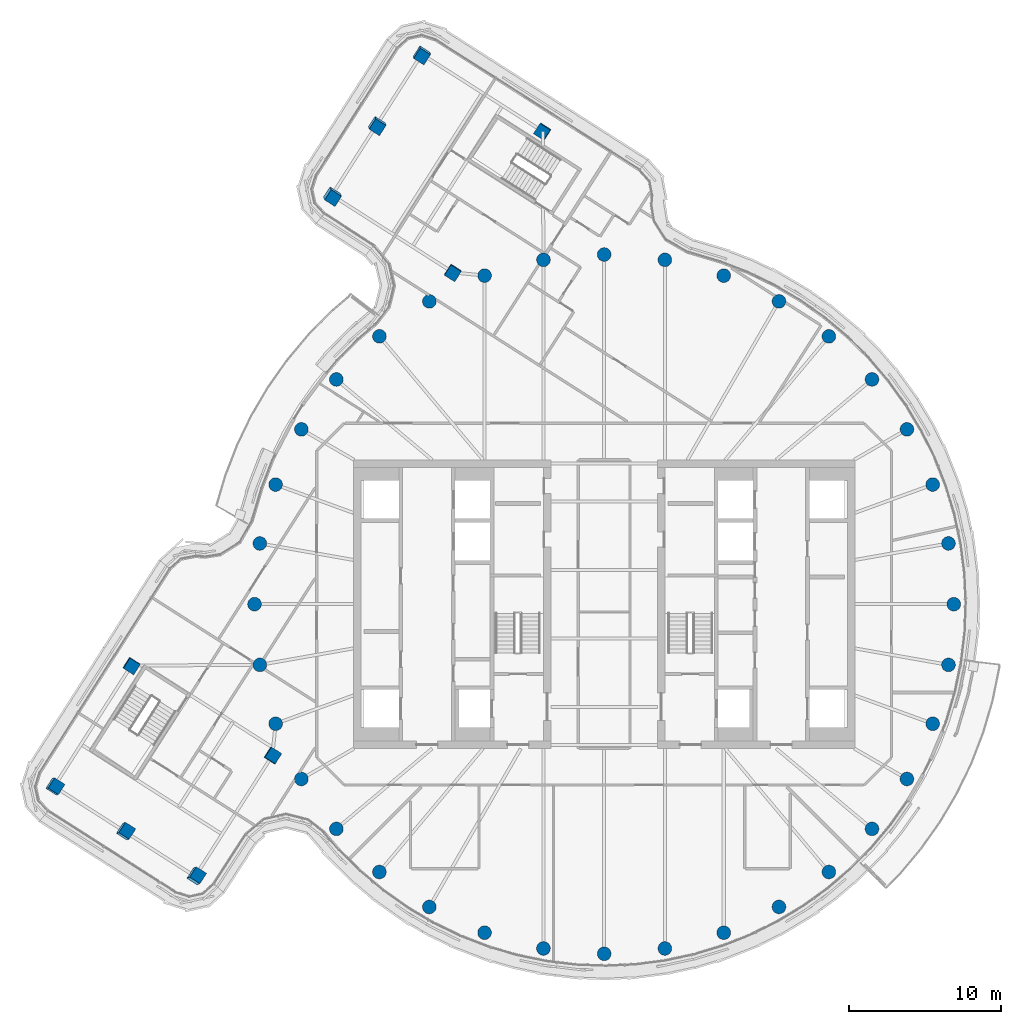
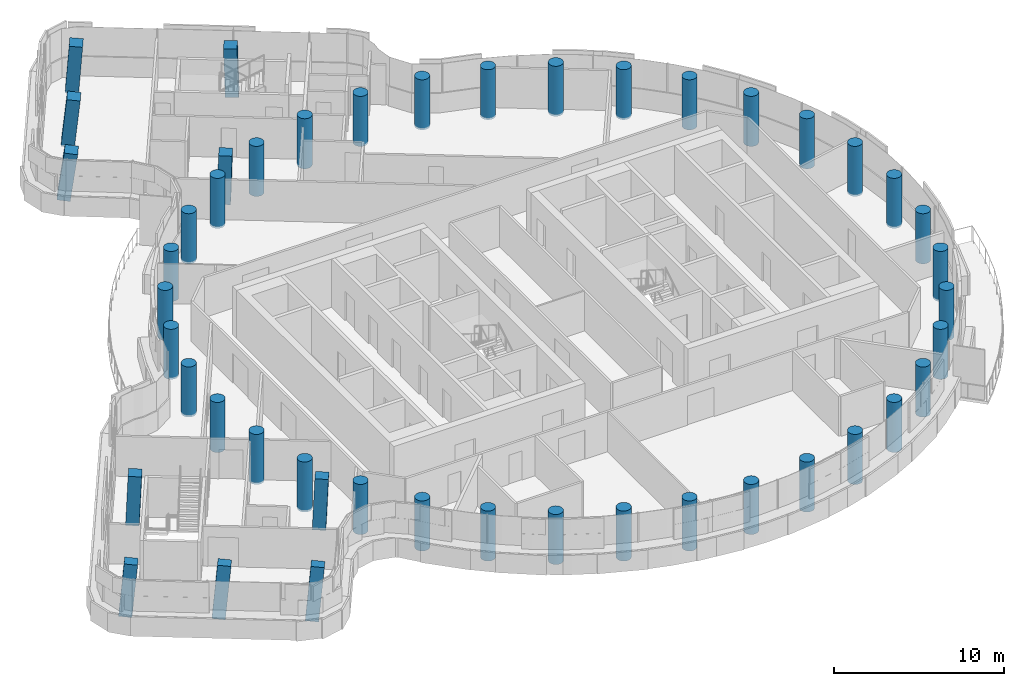
# One storey, part 1 of 27: 46 columns.
"""IFC4 building model written with IfcOpenShell, lengths in metres."""

import ifcopenshell
import ifcopenshell.guid

model = None  # the IFC model being written
_history = None  # IfcOwnerHistory: only IFC2X3 demands one
_inside = {}  # id of a spatial element -> (the spatial element, [elements in it])
_under = {}  # id of a project, library or spatial element -> (it, [spatial elements below it])
_declared = {}  # id of a project -> (the project, [libraries it declares])
_typed = {}  # id of a type object -> (the type object, [elements of that type])
_made_of = {}  # id of a material, layer set ... -> (it, [elements and type objects made of it])


def new_model(schema):
    """Start an empty IFC model of exactly this schema.

    Asked for "IFC4X3", IfcOpenShell would pick the latest addendum, in which some entities
    have other attributes; the version numbers below select the first issue.
    IFC2X3 requires an IfcOwnerHistory on every rooted entity: one is made here for all.
    """
    global model, _history
    if schema == "IFC4X3":
        model = ifcopenshell.file(schema_version=(4, 3, 0, 0))
    else:
        model = ifcopenshell.file(schema=schema)
    _inside.clear()
    _under.clear()
    _declared.clear()
    _typed.clear()
    _made_of.clear()
    _history = None
    if model.schema == "IFC2X3":
        org = make("IfcOrganization", Name="unknown")
        user = make(
            "IfcPersonAndOrganization",
            ThePerson=make("IfcPerson", FamilyName="unknown"),
            TheOrganization=org,
        )
        app = make(
            "IfcApplication",
            ApplicationDeveloper=org,
            Version="unknown",
            ApplicationFullName="unknown",
            ApplicationIdentifier="unknown",
        )
        _history = make(
            "IfcOwnerHistory",
            OwningUser=user,
            OwningApplication=app,
            ChangeAction="ADDED",
            CreationDate=0,
        )
    return model


def make(cls, **values):
    """One entity of the class cls with the attributes given. An attribute that is None is left unset."""
    return model.create_entity(
        cls, **{name: value for name, value in values.items() if value is not None}
    )


def rooted(cls, **values):
    """An entity with a GlobalId (a new one), such as an element, a storey or a relation."""
    return make(cls, GlobalId=ifcopenshell.guid.new(), OwnerHistory=_history, **values)


def si_unit(unit_type, name, prefix=None):
    """IfcSIUnit, for example si_unit("LENGTHUNIT", "METRE", prefix="MILLI")."""
    return make("IfcSIUnit", UnitType=unit_type, Prefix=prefix, Name=name)


def assignment(units):
    """IfcUnitAssignment: the units of a project."""
    return None if units is None else make("IfcUnitAssignment", Units=units)


def point(xyz):
    """IfcCartesianPoint."""
    return None if xyz is None else make("IfcCartesianPoint", Coordinates=xyz)


def direction(xyz):
    """IfcDirection."""
    return None if xyz is None else make("IfcDirection", DirectionRatios=xyz)


def frame(location, z_axis=None, x_axis=None):
    """IfcAxis2Placement3D, a coordinate frame: its origin and axes. An axis left out is left unset."""
    return make(
        "IfcAxis2Placement3D",
        Location=point(location),
        Axis=direction(z_axis),
        RefDirection=direction(x_axis),
    )


def frame_2d(location, x_axis=None):
    """IfcAxis2Placement2D, a coordinate frame in the plane: its origin and x axis."""
    return make(
        "IfcAxis2Placement2D", Location=point(location), RefDirection=direction(x_axis)
    )


def origin():
    """The frame at (0, 0, 0) with its axes left unset."""
    return frame((0.0, 0.0, 0.0))


def origin_2d():
    """The frame at (0, 0) in the plane with its x axis left unset."""
    return frame_2d((0.0, 0.0))


def place(relative_to, where):
    """IfcLocalPlacement: puts the frame where relative to a parent placement (None: the world)."""
    return make(
        "IfcLocalPlacement", PlacementRelTo=relative_to, RelativePlacement=where
    )


def context(
    kind, dimensions, precision=None, world=None, true_north=None, identifier=None
):
    """IfcGeometricRepresentationContext, for example the 3D "Model" context."""
    return make(
        "IfcGeometricRepresentationContext",
        ContextIdentifier=identifier,
        ContextType=kind,
        CoordinateSpaceDimension=dimensions,
        Precision=precision,
        WorldCoordinateSystem=world,
        TrueNorth=true_north,
    )


def subcontext(parent, identifier, kind, view, scale=None):
    """IfcGeometricRepresentationSubContext, for example "Body" below "Model"."""
    return make(
        "IfcGeometricRepresentationSubContext",
        ContextIdentifier=identifier,
        ContextType=kind,
        ParentContext=parent,
        TargetScale=scale,
        TargetView=view,
    )


def project(units=None, contexts=None):
    """IfcProject with its units and contexts."""
    return rooted(
        "IfcProject",
        Name="project",
        RepresentationContexts=contexts,
        UnitsInContext=assignment(units),
    )


def spatial(cls, under=None, at=None, **own):
    """A site, building, storey or space (cls), placed at a placement, below another one or the project."""
    s = rooted(cls, ObjectPlacement=at, **own)
    if under is not None:
        _under.setdefault(under.id(), (under, []))[1].append(s)
    return s


def profile(cls, at=None, kind="AREA", **sizes):
    """A parametric profile (cls). Its sizes go by their IFC names, for example OverallWidth=200.0."""
    return make(cls, ProfileType=kind, Position=at, **sizes)


def rectangle(**sizes):
    """IfcRectangleProfileDef."""
    return profile("IfcRectangleProfileDef", **sizes)


def circle(**sizes):
    """IfcCircleProfileDef."""
    return profile("IfcCircleProfileDef", **sizes)


def extrude(swept, where, along, depth):
    """IfcExtrudedAreaSolid: the profile swept, set in the frame where, extruded along a direction by depth."""
    return make(
        "IfcExtrudedAreaSolid",
        SweptArea=swept,
        Position=where,
        ExtrudedDirection=direction(along),
        Depth=depth,
    )


def shape(context_of_items, identifier, shape_type, items):
    """IfcShapeRepresentation: the items that make up one representation, for example the "Body"."""
    return make(
        "IfcShapeRepresentation",
        ContextOfItems=context_of_items,
        RepresentationIdentifier=identifier,
        RepresentationType=shape_type,
        Items=items,
    )


def material(Name=None, Category=None):
    """IfcMaterial."""
    return make("IfcMaterial", Name=Name, Category=Category)


def material_profile(
    of_material, cross_section, Name=None, Category=None, Priority=None
):
    """IfcMaterialProfile: a cross section and its material."""
    return make(
        "IfcMaterialProfile",
        Name=Name,
        Material=of_material,
        Profile=cross_section,
        Priority=Priority,
        Category=Category,
    )


def profile_set(profiles, Name=None, composite=None):
    """IfcMaterialProfileSet."""
    return make(
        "IfcMaterialProfileSet",
        Name=Name,
        MaterialProfiles=profiles,
        CompositeProfile=composite,
    )


def made_of(thing, what):
    """Note that an element or type object is made of a material, layer set ...; save() writes the relation."""
    if what is not None:
        _made_of.setdefault(what.id(), (what, []))[1].append(thing)
    return thing


def type_object(cls, material=None, **own):
    """A type object (cls), such as IfcWallType, which elements share."""
    return made_of(rooted(cls, **own), material)


def element(
    cls,
    number,
    at=None,
    inside=None,
    cuts=None,
    type_object=None,
    material=None,
    context=None,
    identifier="Body",
    shape_type=None,
    held_by="IfcProductDefinitionShape",
    body=None,
    shapes=None,
    **own,
):
    """One element of the class cls, such as IfcWall. Its Tag is "e" and its number.

    at: its placement. inside: the storey or other place that contains it. cuts: it is an
    opening in that element (IfcRelVoidsElement). A single representation is given by context,
    identifier, shape_type and body (its items); several are given by shapes. held_by: the class
    of the entity that holds the representations. save() writes the other relations.
    """
    e = rooted(cls, Tag="e%d" % number, ObjectPlacement=at, **own)
    if body is not None:
        shapes = [shape(context, identifier, shape_type, body)]
    if shapes is not None:
        e.Representation = make(held_by, Representations=shapes)
    if inside is not None:
        _inside.setdefault(inside.id(), (inside, []))[1].append(e)
    if cuts is not None:
        rooted(
            "IfcRelVoidsElement", RelatingBuildingElement=cuts, RelatedOpeningElement=e
        )
    if type_object is not None:
        _typed.setdefault(type_object.id(), (type_object, []))[1].append(e)
    return made_of(e, material)


def aggregate(whole, parts):
    """IfcRelAggregates: a whole, such as a stair, and the parts it consists of."""
    return rooted("IfcRelAggregates", RelatingObject=whole, RelatedObjects=parts)


def save(model, path):
    """Write the relations noted so far, then the file.

    IfcRelAggregates (storeys below a building ...), IfcRelContainedInSpatialStructure (elements
    in a storey), IfcRelDefinesByType, IfcRelAssociatesMaterial and IfcRelDeclares: one each for
    every whole, place, type object, material and project.
    """
    for whole, parts in _under.values():
        aggregate(whole, parts)
    for where, things in _inside.values():
        rooted(
            "IfcRelContainedInSpatialStructure",
            RelatedElements=things,
            RelatingStructure=where,
        )
    for kind, things in _typed.values():
        rooted("IfcRelDefinesByType", RelatedObjects=things, RelatingType=kind)
    for what, things in _made_of.values():
        rooted("IfcRelAssociatesMaterial", RelatedObjects=things, RelatingMaterial=what)
    for by, libraries in _declared.values():
        rooted("IfcRelDeclares", RelatingContext=by, RelatedDefinitions=libraries)
    model.write(path)


model = new_model("IFC4")

# Units and contexts
model_context = context("Model", 3, precision=1e-05, world=origin(), true_north=direction((0.0, 1.0)))
body_context = subcontext(model_context, "Body", "Model", "MODEL_VIEW")
ifc_project = project(units=[si_unit("LENGTHUNIT", "METRE"), si_unit("AREAUNIT", "SQUARE_METRE"), si_unit("VOLUMEUNIT", "CUBIC_METRE"), si_unit("PLANEANGLEUNIT", "RADIAN"), si_unit("MASSUNIT", "GRAM", prefix="KILO")], contexts=[model_context])

# Site, building, storey
site_placement = place(None, origin())
site = spatial("IfcSite", under=ifc_project, at=site_placement, CompositionType="ELEMENT")
building_placement = place(site_placement, origin())
building = spatial("IfcBuilding", under=site, at=building_placement, Name="Tamarind Cross Interchange Tower", CompositionType="ELEMENT")
storey_placement = place(building_placement, frame((0.0, 0.0, 241.5)))
storey = spatial("IfcBuildingStorey", under=building, at=storey_placement, Name="L61", CompositionType="ELEMENT", Elevation=241.5)

# Columns
ifc_material = material(Name="Concrete C50", Category="concrete")
ifc_material_profile_1 = material_profile(ifc_material, rectangle(XDim=0.800048828125, YDim=0.800048828125, at=origin_2d()), Name="RC 800x800")
ifc_profile_set_1 = profile_set([ifc_material_profile_1], Name="Concrete C50")
column_type_1 = type_object("IfcColumnType", Name="Column RC 800x800 Concrete C50", PredefinedType="COLUMN", material=ifc_profile_set_1)
for number, where, z_axis, x_axis, name in (
    (1, (-9.955322265625, 21.8271484375, -0.138671875), (0.001287809675, -0.050360136255, 0.998730293033), (0.538621535495, 0.841513383158, 0.041738081745), "Column L61-045"),
    (2, (-4.039306640625, 31.100830078125, -0.138671875), (-0.045886609589, -0.020876035086, 0.998728496749), (0.842490323988, -0.538011031714, 0.027462405943), "Column L61-046"),
):
    element("IfcColumn", number, at=place(storey_placement, frame(where, z_axis=z_axis, x_axis=x_axis)), inside=storey, type_object=column_type_1, Name=name, PredefinedType="COLUMN", context=body_context, shape_type="SweptSolid", body=[
        extrude(rectangle(XDim=0.800048828125, YDim=0.800048828125, at=origin_2d()), origin(), (0.0, 0.0, 1.0), 3.60205078125),
    ])
column_1_placement = place(storey_placement, frame((-11.9970703125, 36.17724609375, -0.137939453125), z_axis=(0.012951923983, -0.112317465791, 0.993587960144), x_axis=(0.538578094335, 0.837998113974, 0.087708592956)))
element("IfcColumn", 3, at=column_1_placement, inside=storey, type_object=column_type_1, Name="Column L61-047", PredefinedType="COLUMN", context=body_context, shape_type="SweptSolid", body=[
    extrude(rectangle(XDim=0.800048828125, YDim=0.800048828125, at=origin_2d()), origin(), (0.0, 0.0, 1.0), 3.619140625),
])
column_2_placement = place(storey_placement, frame((-14.955078125, 31.54052734375, -0.137939453125), z_axis=(0.036344788965, -0.126735625223, 0.991270466429), x_axis=(0.539564886787, 0.8374077676, 0.087280947007)))
element("IfcColumn", 4, at=column_2_placement, inside=storey, type_object=column_type_1, Name="Column L61-048", PredefinedType="COLUMN", context=body_context, shape_type="SweptSolid", body=[
    extrude(rectangle(XDim=0.800048828125, YDim=0.800048828125, at=origin_2d()), origin(), (0.0, 0.0, 1.0), 3.62744140625),
])
column_3_placement = place(storey_placement, frame((-17.9130859375, 26.903564453125, -0.1376953125), z_axis=(0.059587509842, -0.140916408411, 0.988226641268), x_axis=(0.540447417782, 0.836893731057, 0.086749475673)))
element("IfcColumn", 5, at=column_3_placement, inside=storey, type_object=column_type_1, Name="Column L61-049", PredefinedType="COLUMN", context=body_context, shape_type="SweptSolid", body=[
    extrude(rectangle(XDim=0.800048828125, YDim=0.800048828125, at=origin_2d()), origin(), (0.0, 0.0, 1.0), 3.63818359375),
])
for number, where, z_axis, x_axis, name in (
    (6, (-21.8271484375, -9.955322265625, -0.138671875), (0.050360136255, 0.001287809675, 0.998730293033), (-0.841513383158, 0.538621535495, 0.041738081745), "Column L61-052"),
    (7, (-31.100830078125, -4.039306640625, -0.138671875), (0.020876035086, -0.045886609589, 0.998728496749), (0.538011031714, 0.842490323988, 0.027462405943), "Column L61-053"),
):
    element("IfcColumn", number, at=place(storey_placement, frame(where, z_axis=z_axis, x_axis=x_axis)), inside=storey, type_object=column_type_1, Name=name, PredefinedType="COLUMN", context=body_context, shape_type="SweptSolid", body=[
        extrude(rectangle(XDim=0.800048828125, YDim=0.800048828125, at=origin_2d()), origin(), (0.0, 0.0, 1.0), 3.60205078125),
    ])
column_4_placement = place(storey_placement, frame((-36.17724609375, -11.9970703125, -0.137939453125), z_axis=(0.112317465791, 0.012951923983, 0.993587960144), x_axis=(-0.837998113974, 0.538578094335, 0.087708592956)))
element("IfcColumn", 8, at=column_4_placement, inside=storey, type_object=column_type_1, Name="Column L61-054", PredefinedType="COLUMN", context=body_context, shape_type="SweptSolid", body=[
    extrude(rectangle(XDim=0.800048828125, YDim=0.800048828125, at=origin_2d()), origin(), (0.0, 0.0, 1.0), 3.619140625),
])
column_5_placement = place(storey_placement, frame((-31.54052734375, -14.955078125, -0.137939453125), z_axis=(0.126735625223, 0.036344788965, 0.991270466429), x_axis=(-0.8374077676, 0.539564886787, 0.087280947007)))
element("IfcColumn", 9, at=column_5_placement, inside=storey, type_object=column_type_1, Name="Column L61-055", PredefinedType="COLUMN", context=body_context, shape_type="SweptSolid", body=[
    extrude(rectangle(XDim=0.800048828125, YDim=0.800048828125, at=origin_2d()), origin(), (0.0, 0.0, 1.0), 3.62744140625),
])
column_6_placement = place(storey_placement, frame((-26.903564453125, -17.9130859375, -0.1376953125), z_axis=(0.140916408411, 0.059587509842, 0.988226641268), x_axis=(-0.836893731057, 0.540447417782, 0.086749475673)))
element("IfcColumn", 10, at=column_6_placement, inside=storey, type_object=column_type_1, Name="Column L61-056", PredefinedType="COLUMN", context=body_context, shape_type="SweptSolid", body=[
    extrude(rectangle(XDim=0.800048828125, YDim=0.800048828125, at=origin_2d()), origin(), (0.0, 0.0, 1.0), 3.63818359375),
])
ifc_material_profile_2 = material_profile(ifc_material, circle(Radius=0.449951171875, at=origin_2d()), Name="RC D900")
ifc_profile_set_2 = profile_set([ifc_material_profile_2], Name="Concrete C50")
column_type_2 = type_object("IfcColumnType", Name="Column RC D900 Concrete C50", PredefinedType="COLUMN", material=ifc_profile_set_2)
for number, where, z_axis, x_axis, name in (
    (11, (23.0, 0.0, -0.139892578125), (0.0, 0.0, 1.0), (1.0, 0.0, 0.0), "Column L61-000"),
    (12, (22.650634765625, 3.993896484375, -0.139892578125), (0.0, 0.0, 1.0), (1.0, 0.0, 0.0), "Column L61-001"),
    (13, (21.613037109375, 7.866455078125, -0.139892578125), (0.0, 0.0, 1.0), (1.0, 0.0, 0.0), "Column L61-002"),
    (14, (19.918701171875, 11.5, -0.139892578125), (0.0, 0.0, 1.0), (1.0, 0.0, 0.0), "Column L61-003"),
    (15, (17.619140625, 14.7841796875, -0.139892578125), (0.0, 0.0, 1.0), (1.0, 0.0, 0.0), "Column L61-004"),
    (16, (14.7841796875, 17.619140625, -0.139892578125), (0.0, 0.0, 1.0), (1.0, 0.0, 0.0), "Column L61-005"),
    (17, (11.5, 19.918701171875, -0.139892578125), (0.0, 0.0, 1.0), (1.0, 0.0, 0.0), "Column L61-006"),
    (18, (7.866455078125, 21.613037109375, -0.139892578125), (0.0, 0.0, 1.0), (1.0, 0.0, 0.0), "Column L61-007"),
    (19, (3.993896484375, 22.650634765625, -0.139892578125), (0.0, 0.0, 1.0), (1.0, 0.0, 0.0), "Column L61-008"),
    (20, (0.0, 23.0, -0.139892578125), (0.0, 0.0, 1.0), (1.0, 0.0, 0.0), "Column L61-009"),
    (21, (-3.993896484375, 22.650634765625, -0.139892578125), (0.0, 0.0, 1.0), (1.0, 0.0, 0.0), "Column L61-010"),
    (22, (-7.866455078125, 21.613037109375, -0.139892578125), (0.0, 0.0, 1.0), (1.0, 0.0, 0.0), "Column L61-011"),
    (23, (-11.5, 19.918701171875, -0.139892578125), (0.0, 0.0, 1.0), (1.0, 0.0, 0.0), "Column L61-012"),
    (24, (-14.7841796875, 17.619140625, -0.139892578125), (0.0, 0.0, 1.0), (1.0, 0.0, 0.0), "Column L61-013"),
    (25, (-17.619140625, 14.7841796875, -0.139892578125), (0.0, 0.0, 1.0), (1.0, 0.0, 0.0), "Column L61-014"),
    (26, (-19.918701171875, 11.5, -0.139892578125), (0.0, 0.0, 1.0), (1.0, 0.0, 0.0), "Column L61-015"),
    (27, (-21.613037109375, 7.866455078125, -0.139892578125), (0.0, 0.0, 1.0), (1.0, 0.0, 0.0), "Column L61-016"),
    (28, (-22.650634765625, 3.993896484375, -0.139892578125), (0.0, 0.0, 1.0), (1.0, 0.0, 0.0), "Column L61-017"),
    (29, (-23.0, 0.0, -0.139892578125), (0.0, 0.0, 1.0), (1.0, 0.0, 0.0), "Column L61-018"),
    (30, (-22.650634765625, -3.993896484375, -0.139892578125), (0.0, 0.0, 1.0), (1.0, 0.0, 0.0), "Column L61-019"),
    (31, (-21.613037109375, -7.866455078125, -0.139892578125), (0.0, 0.0, 1.0), (1.0, 0.0, 0.0), "Column L61-020"),
    (32, (-19.918701171875, -11.5, -0.139892578125), (0.0, 0.0, 1.0), (1.0, 0.0, 0.0), "Column L61-021"),
    (33, (-17.619140625, -14.7841796875, -0.139892578125), (0.0, 0.0, 1.0), (1.0, 0.0, 0.0), "Column L61-022"),
    (34, (-14.7841796875, -17.619140625, -0.139892578125), (0.0, 0.0, 1.0), (1.0, 0.0, 0.0), "Column L61-023"),
    (35, (-11.5, -19.918701171875, -0.139892578125), (0.0, 0.0, 1.0), (1.0, 0.0, 0.0), "Column L61-024"),
    (36, (-7.866455078125, -21.613037109375, -0.139892578125), (0.0, 0.0, 1.0), (1.0, 0.0, 0.0), "Column L61-025"),
    (37, (-3.993896484375, -22.650634765625, -0.139892578125), (0.0, 0.0, 1.0), (1.0, 0.0, 0.0), "Column L61-026"),
    (38, (0.0, -23.0, -0.139892578125), (0.0, 0.0, 1.0), (1.0, 0.0, 0.0), "Column L61-027"),
    (39, (3.993896484375, -22.650634765625, -0.139892578125), (0.0, 0.0, 1.0), (1.0, 0.0, 0.0), "Column L61-028"),
    (40, (7.866455078125, -21.613037109375, -0.139892578125), (0.0, 0.0, 1.0), (1.0, 0.0, 0.0), "Column L61-029"),
    (41, (11.5, -19.918701171875, -0.139892578125), (0.0, 0.0, 1.0), (1.0, 0.0, 0.0), "Column L61-030"),
    (42, (14.7841796875, -17.619140625, -0.139892578125), (0.0, 0.0, 1.0), (1.0, 0.0, 0.0), "Column L61-031"),
    (43, (17.619140625, -14.7841796875, -0.139892578125), (0.0, 0.0, 1.0), (1.0, 0.0, 0.0), "Column L61-032"),
    (44, (19.918701171875, -11.5, -0.139892578125), (0.0, 0.0, 1.0), (1.0, 0.0, 0.0), "Column L61-033"),
    (45, (21.613037109375, -7.866455078125, -0.139892578125), (0.0, 0.0, 1.0), (1.0, 0.0, 0.0), "Column L61-034"),
    (46, (22.650634765625, -3.993896484375, -0.139892578125), (0.0, 0.0, 1.0), (1.0, 0.0, 0.0), "Column L61-035"),
):
    element("IfcColumn", number, at=place(storey_placement, frame(where, z_axis=z_axis, x_axis=x_axis)), inside=storey, type_object=column_type_2, Name=name, PredefinedType="COLUMN", context=body_context, shape_type="SweptSolid", body=[
        extrude(circle(Radius=0.449951171875, at=origin_2d()), origin(), (0.0, 0.0, 1.0), 3.599853515625),
    ])

save(model, "model.ifc")
